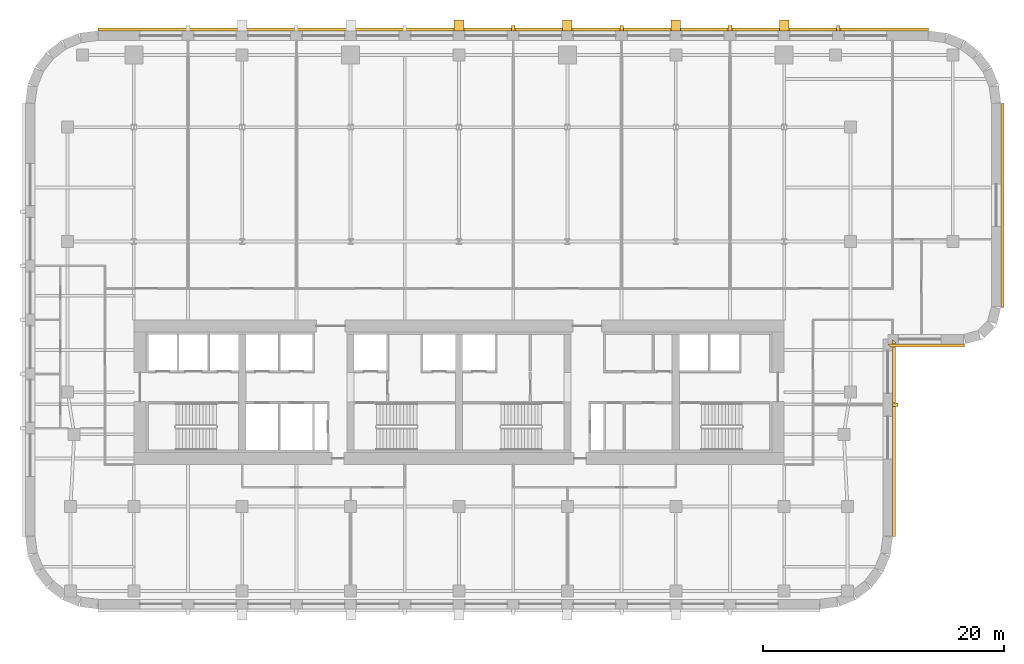
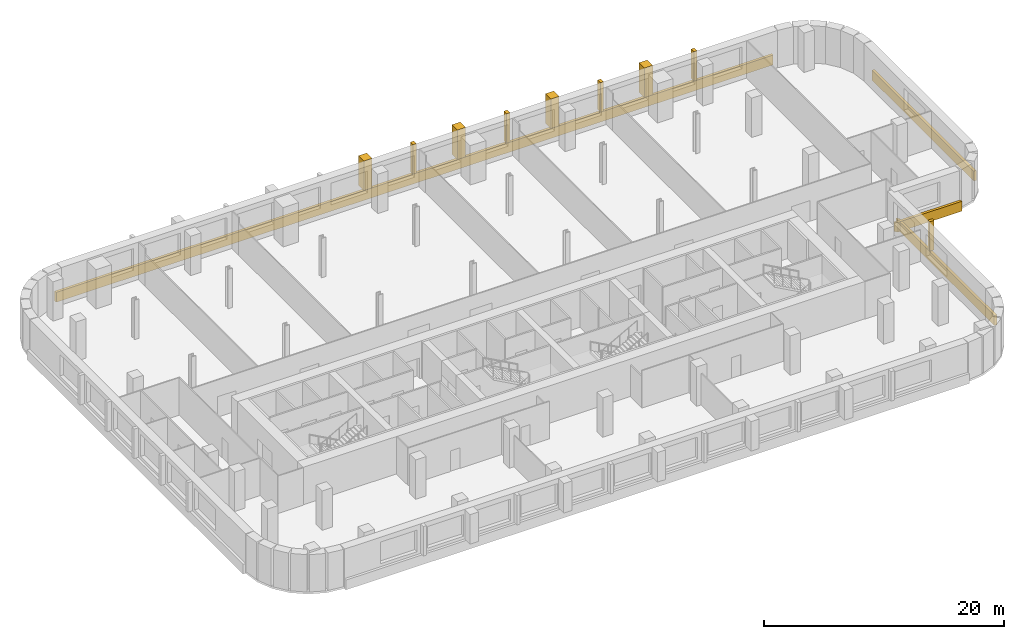
# One storey, part 9 of 9: 13 coverings.
"""IFC4 building model written with IfcOpenShell, lengths in metres."""

from ifc_helpers import new_model, si_unit, direction, frame, origin, place, context, subcontext, project, spatial, polyline, outline, extrude, material, layer, layer_set, type_object, element, save


model = new_model("IFC4")

# Units and contexts
model_context = context("Model", 3, precision=1e-05, world=origin(), true_north=direction((0.0, 1.0)))
body_context = subcontext(model_context, "Body", "Model", "MODEL_VIEW")
ifc_project = project(units=[si_unit("LENGTHUNIT", "METRE"), si_unit("AREAUNIT", "SQUARE_METRE"), si_unit("VOLUMEUNIT", "CUBIC_METRE"), si_unit("PLANEANGLEUNIT", "RADIAN"), si_unit("MASSUNIT", "GRAM", prefix="KILO")], contexts=[model_context])

# Site, building, storey
site_placement = place(None, origin())
site = spatial("IfcSite", under=ifc_project, at=site_placement, CompositionType="ELEMENT")
building_placement = place(site_placement, origin())
building = spatial("IfcBuilding", under=site, at=building_placement, Name="Zellij Exchange Tower", CompositionType="ELEMENT")
storey_placement = place(building_placement, frame((0.0, 0.0, 136.5)))
storey = spatial("IfcBuildingStorey", under=building, at=storey_placement, Name="L30", CompositionType="ELEMENT", Elevation=136.5)

# Coverings
ifc_material = material(Name="Limestone cladding", Category="masonry")
covering_type_1 = type_object("IfcCoveringType", Name="ENV-CV5 Stone pier 800x900", PredefinedType="CLADDING", material=ifc_material)
covering_1_placement = place(storey_placement, frame((0.0, 0.0, 0.800048828125)))
element("IfcCovering", 1, at=covering_1_placement, inside=storey, type_object=covering_type_1, Name="Stone pier", PredefinedType="CLADDING", context=body_context, shape_type="SweptSolid", body=[
    extrude(outline(polyline([(27.39990234375, 22.0), (26.60009765625, 22.0), (26.60009765625, 22.89990234375), (27.39990234375, 22.89990234375), (27.39990234375, 22.0)])), origin(), (0.0, 0.0, 1.0), 3.0),
])
covering_2_placement = place(storey_placement, frame((0.0, 0.0, 0.800048828125)))
element("IfcCovering", 2, at=covering_2_placement, inside=storey, type_object=covering_type_1, Name="Stone pier", PredefinedType="CLADDING", context=body_context, shape_type="SweptSolid", body=[
    extrude(outline(polyline([(18.39990234375, 22.0), (17.60009765625, 22.0), (17.60009765625, 22.89990234375), (18.39990234375, 22.89990234375), (18.39990234375, 22.0)])), origin(), (0.0, 0.0, 1.0), 3.0),
])
covering_3_placement = place(storey_placement, frame((0.0, 0.0, 0.800048828125)))
element("IfcCovering", 3, at=covering_3_placement, inside=storey, type_object=covering_type_1, Name="Stone pier", PredefinedType="CLADDING", context=body_context, shape_type="SweptSolid", body=[
    extrude(outline(polyline([(9.39990234375, 22.0), (8.60009765625, 22.0), (8.60009765625, 22.89990234375), (9.39990234375, 22.89990234375), (9.39990234375, 22.0)])), origin(), (0.0, 0.0, 1.0), 3.0),
])
covering_4_placement = place(storey_placement, frame((0.0, 0.0, 0.800048828125)))
element("IfcCovering", 4, at=covering_4_placement, inside=storey, type_object=covering_type_1, Name="Stone pier", PredefinedType="CLADDING", context=body_context, shape_type="SweptSolid", body=[
    extrude(outline(polyline([(0.39990234375, 22.0), (-0.39990234375, 22.0), (-0.39990234375, 22.89990234375), (0.39990234375, 22.89990234375), (0.39990234375, 22.0)])), origin(), (0.0, 0.0, 1.0), 3.0),
])
covering_type_2 = type_object("IfcCoveringType", Name="ENV-CV7 Stone pier 300x450", PredefinedType="CLADDING", material=ifc_material)
covering_5_placement = place(storey_placement, frame((0.0, 0.0, 0.800048828125)))
element("IfcCovering", 5, at=covering_5_placement, inside=storey, type_object=covering_type_2, Name="Stone pier", PredefinedType="CLADDING", context=body_context, shape_type="SweptSolid", body=[
    extrude(outline(polyline([(36.0, -9.2080078125), (36.0, -8.907958984375), (36.449951171875, -8.907958984375), (36.449951171875, -9.2080078125), (36.0, -9.2080078125)])), origin(), (0.0, 0.0, 1.0), 3.0),
])
covering_6_placement = place(storey_placement, frame((0.0, 0.0, 0.800048828125)))
element("IfcCovering", 6, at=covering_6_placement, inside=storey, type_object=covering_type_2, Name="Stone pier", PredefinedType="CLADDING", context=body_context, shape_type="SweptSolid", body=[
    extrude(outline(polyline([(31.64990234375, 22.0), (31.35009765625, 22.0), (31.35009765625, 22.449951171875), (31.64990234375, 22.449951171875), (31.64990234375, 22.0)])), origin(), (0.0, 0.0, 1.0), 3.0),
])
covering_7_placement = place(storey_placement, frame((0.0, 0.0, 0.800048828125)))
element("IfcCovering", 7, at=covering_7_placement, inside=storey, type_object=covering_type_2, Name="Stone pier", PredefinedType="CLADDING", context=body_context, shape_type="SweptSolid", body=[
    extrude(outline(polyline([(22.64990234375, 22.0), (22.35009765625, 22.0), (22.35009765625, 22.449951171875), (22.64990234375, 22.449951171875), (22.64990234375, 22.0)])), origin(), (0.0, 0.0, 1.0), 3.0),
])
covering_8_placement = place(storey_placement, frame((0.0, 0.0, 0.800048828125)))
element("IfcCovering", 8, at=covering_8_placement, inside=storey, type_object=covering_type_2, Name="Stone pier", PredefinedType="CLADDING", context=body_context, shape_type="SweptSolid", body=[
    extrude(outline(polyline([(13.64990234375, 22.0), (13.35009765625, 22.0), (13.35009765625, 22.449951171875), (13.64990234375, 22.449951171875), (13.64990234375, 22.0)])), origin(), (0.0, 0.0, 1.0), 3.0),
])
covering_9_placement = place(storey_placement, frame((0.0, 0.0, 0.800048828125)))
element("IfcCovering", 9, at=covering_9_placement, inside=storey, type_object=covering_type_2, Name="Stone pier", PredefinedType="CLADDING", context=body_context, shape_type="SweptSolid", body=[
    extrude(outline(polyline([(4.64990234375, 22.0), (4.35009765625, 22.0), (4.35009765625, 22.449951171875), (4.64990234375, 22.449951171875), (4.64990234375, 22.0)])), origin(), (0.0, 0.0, 1.0), 3.0),
])
ifc_layer = layer(ifc_material, 0.25)
ifc_layer_set = layer_set([ifc_layer], Name="Limestone cladding")
covering_type_3 = type_object("IfcCoveringType", Name="ENV-CV8 Stone spandrel band 250", PredefinedType="CLADDING", material=ifc_layer_set)
covering_10_placement = place(storey_placement, frame((0.0, 0.0, -0.199951171875)))
element("IfcCovering", 10, at=covering_10_placement, inside=storey, type_object=covering_type_3, Name="Stone spandrel band", PredefinedType="CLADDING", context=body_context, shape_type="SweptSolid", body=[
    extrude(outline(polyline([(36.0, -19.973876953125), (36.0, -3.60009765625), (36.25, -3.85009765625), (36.25, -19.990234375), (36.0, -19.973876953125)])), origin(), (0.0, 0.0, 1.0), 1.0),
])
covering_11_placement = place(storey_placement, frame((0.0, 0.0, -0.199951171875)))
element("IfcCovering", 11, at=covering_11_placement, inside=storey, type_object=covering_type_3, Name="Stone spandrel band", PredefinedType="CLADDING", context=body_context, shape_type="SweptSolid", body=[
    extrude(outline(polyline([(35.60009765625, -4.0), (41.947265625, -4.0), (41.980224609375, -4.25), (35.85009765625, -4.25), (35.60009765625, -4.0)])), origin(), (0.0, 0.0, 1.0), 1.0),
])
covering_12_placement = place(storey_placement, frame((0.0, 0.0, -0.199951171875)))
element("IfcCovering", 12, at=covering_12_placement, inside=storey, type_object=covering_type_3, Name="Stone spandrel band", PredefinedType="CLADDING", context=body_context, shape_type="SweptSolid", body=[
    extrude(outline(polyline([(45.0, -0.947265625), (45.0, 15.973876953125), (45.25, 15.990234375), (45.25, -0.980224609375), (45.0, -0.947265625)])), origin(), (0.0, 0.0, 1.0), 1.0),
])
covering_13_placement = place(storey_placement, frame((0.0, 0.0, -0.199951171875)))
element("IfcCovering", 13, at=covering_13_placement, inside=storey, type_object=covering_type_3, Name="Stone spandrel band", PredefinedType="CLADDING", context=body_context, shape_type="SweptSolid", body=[
    extrude(outline(polyline([(38.973876953125, 22.0), (-29.973876953125, 22.0), (-29.990234375, 22.25), (38.990234375, 22.25), (38.973876953125, 22.0)])), origin(), (0.0, 0.0, 1.0), 1.0),
])

save(model, "model.ifc")
